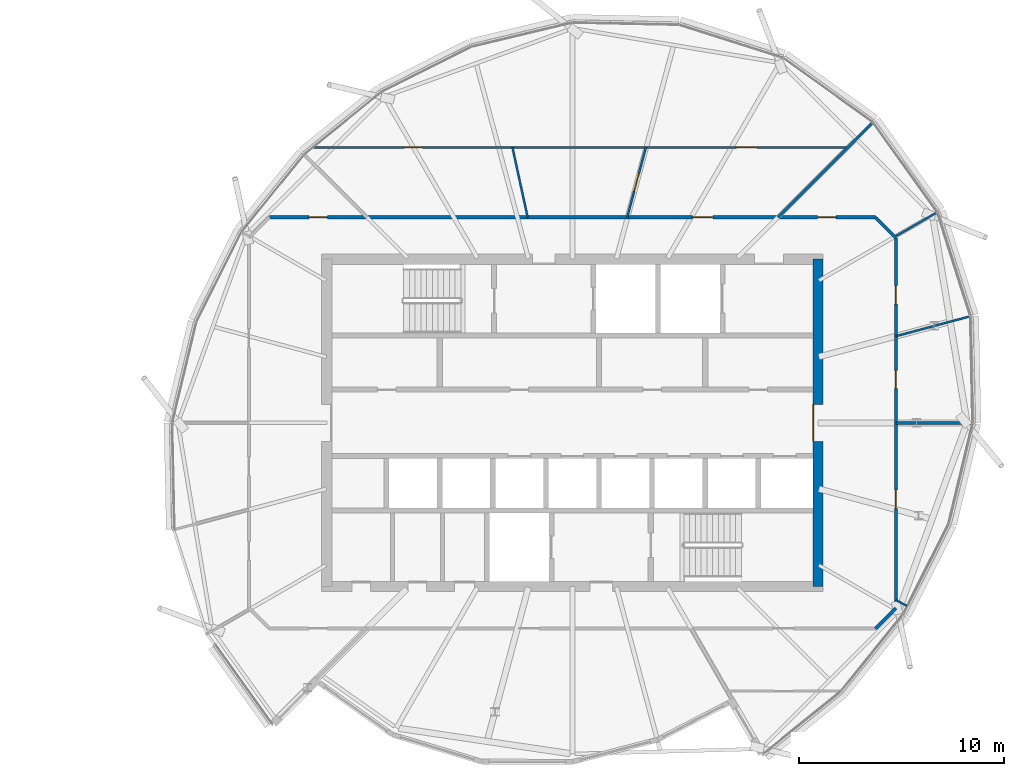
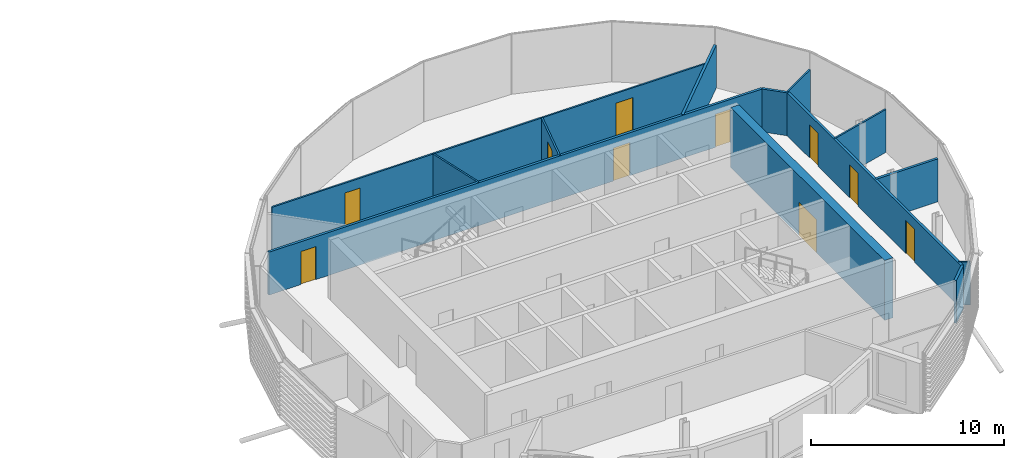
# One storey, part 23 of 35: 13 walls, 10 doors, 10 openings.
"""IFC4 building model written with IfcOpenShell, lengths in metres."""

from ifc_helpers import new_model, si_unit, direction, frame, frame_2d, origin, place, context, subcontext, project, spatial, rectangle, extrude, material, layer, layer_set, type_object, element, fill, save


model = new_model("IFC4")

# Units and contexts
model_context = context("Model", 3, precision=1e-05, world=origin(), true_north=direction((0.0, 1.0)))
body_context = subcontext(model_context, "Body", "Model", "MODEL_VIEW")
ifc_project = project(units=[si_unit("LENGTHUNIT", "METRE"), si_unit("AREAUNIT", "SQUARE_METRE"), si_unit("VOLUMEUNIT", "CUBIC_METRE"), si_unit("PLANEANGLEUNIT", "RADIAN"), si_unit("MASSUNIT", "GRAM", prefix="KILO")], contexts=[model_context])

# Site, building, storey
site_placement = place(None, origin())
site = spatial("IfcSite", under=ifc_project, at=site_placement, CompositionType="ELEMENT")
building_placement = place(site_placement, origin())
building = spatial("IfcBuilding", under=site, at=building_placement, Name="Rimbun Link Towers", CompositionType="ELEMENT")
storey_placement = place(building_placement, frame((0.0, 0.0, 229.5)))
storey = spatial("IfcBuildingStorey", under=building, at=storey_placement, Name="L56", CompositionType="ELEMENT", Elevation=229.5)

# Wall, opening, door
ifc_material_1 = material(Name="Concrete C60/75", Category="concrete")
ifc_layer_1 = layer(ifc_material_1, 0.5)
ifc_layer_set_1 = layer_set([ifc_layer_1], Name="Core shear wall 500")
wall_type_1 = type_object("IfcWallType", Name="Core shear wall 500", PredefinedType="SHEAR", material=ifc_layer_set_1)
wall_1_placement = place(storey_placement, frame((43.75, -8.0, 0.0), z_axis=(0.0, 0.0, 1.0), x_axis=(0.0, 1.0, 0.0)))
wall_1 = element("IfcWall", 1, at=wall_1_placement, inside=storey, type_object=wall_type_1, Name="L56 T2 core wall E", PredefinedType="SHEAR", context=body_context, shape_type="SweptSolid", body=[
    extrude(rectangle(XDim=16.0, YDim=0.5, at=frame_2d((8.0, 0.0))), origin(), (0.0, 0.0, 1.0), 3.800048828125),
])
opening_1_placement = place(wall_1_placement, frame((7.10009765625, 0.0, 0.0)))
opening_1 = element("IfcOpeningElement", 2, at=opening_1_placement, cuts=wall_1, Name="Opening C2DCL01E", PredefinedType="OPENING", context=body_context, shape_type="SweptSolid", body=[
    extrude(rectangle(XDim=1.800048828125, YDim=2.10009765625, at=frame_2d((0.89990234375, 1.050048828125))), frame((0.0, 0.260009765625, 0.0), z_axis=(0.0, -1.0, 0.0), x_axis=(1.0, 0.0, 0.0)), (0.0, 0.0, 1.0), 0.52001953125),
])
ifc_material_2 = material(Name="Steel fire door set", Category="steel")
door_type_1 = type_object("IfcDoorType", Name="Core lobby door double", OperationType="DOUBLE_DOOR_SINGLE_SWING", PredefinedType="DOOR", material=ifc_material_2)
door_1_placement = place(opening_1_placement, origin())
door_1 = element("IfcDoor", 3, at=door_1_placement, inside=storey, type_object=door_type_1, Name="L56 T2 lift lobby door", OperationType="DOUBLE_DOOR_SINGLE_SWING", OverallHeight=2.10009765625, OverallWidth=1.800048828125, PredefinedType="DOOR", context=body_context, shape_type="SweptSolid", body=[
    extrude(rectangle(XDim=1.800048828125, YDim=2.10009765625, at=frame_2d((0.89990234375, 1.050048828125))), frame((0.0, 0.25, 0.0), z_axis=(0.0, -1.0, 0.0), x_axis=(1.0, 0.0, 0.0)), (0.0, 0.0, 1.0), 0.050048828125),
])
fill(opening_1, door_1)

# Wall, openings, doors
ifc_material_3 = material(Name="Plasterboard on steel stud, mineral wool", Category="steel")
ifc_layer_2 = layer(ifc_material_3, 0.14990234375)
ifc_layer_set_2 = layer_set([ifc_layer_2], Name="Corridor wall EI 30 150 mm")
wall_type_2 = type_object("IfcWallType", Name="Corridor wall EI 30 150 mm", PredefinedType="PARTITIONING", material=ifc_layer_set_2)
wall_2_placement = place(storey_placement, frame((16.9462890625, 10.044921875, 0.0), z_axis=(0.0, 0.0, 1.0), x_axis=(1.0, 0.0, 0.0)))
wall_2 = element("IfcWall", 4, at=wall_2_placement, inside=storey, type_object=wall_type_2, Name="Corridor wall EI 30 150 mm", PredefinedType="PARTITIONING", context=body_context, shape_type="SweptSolid", body=[
    extrude(rectangle(XDim=29.607421875, YDim=0.14990234375, at=frame_2d((14.8037109375, 0.0))), origin(), (0.0, 0.0, 1.0), 2.721923828125),
])
opening_2_placement = place(wall_2_placement, frame((26.778076171875, 0.0, 0.0)))
opening_2 = element("IfcOpeningElement", 5, at=opening_2_placement, cuts=wall_2, Name="Opening D02", PredefinedType="OPENING", context=body_context, shape_type="SweptSolid", body=[
    extrude(rectangle(XDim=0.89990234375, YDim=2.10009765625, at=frame_2d((0.449951171875, 1.050048828125))), frame((0.0, 0.0849609375, 0.0), z_axis=(0.0, -1.0, 0.0), x_axis=(1.0, 0.0, 0.0)), (0.0, 0.0, 1.0), 0.169921875),
])
opening_3_placement = place(wall_2_placement, frame((20.66455078125, 0.0, 0.0)))
opening_3 = element("IfcOpeningElement", 6, at=opening_3_placement, cuts=wall_2, Name="Opening D01", PredefinedType="OPENING", context=body_context, shape_type="SweptSolid", body=[
    extrude(rectangle(XDim=1.0, YDim=2.10009765625, at=frame_2d((0.5, 1.050048828125))), frame((0.0, 0.0849609375, 0.0), z_axis=(0.0, -1.0, 0.0), x_axis=(1.0, 0.0, 0.0)), (0.0, 0.0, 1.0), 0.169921875),
])
opening_4_placement = place(wall_2_placement, frame((1.92919921875, 0.0, 0.0)))
opening_4 = element("IfcOpeningElement", 7, at=opening_4_placement, cuts=wall_2, Name="Opening D02", PredefinedType="OPENING", context=body_context, shape_type="SweptSolid", body=[
    extrude(rectangle(XDim=0.89990234375, YDim=2.10009765625, at=frame_2d((0.449951171875, 1.050048828125))), frame((0.0, 0.0849609375, 0.0), z_axis=(0.0, -1.0, 0.0), x_axis=(1.0, 0.0, 0.0)), (0.0, 0.0, 1.0), 0.169921875),
])
ifc_material_4 = material(Name="Fire-resisting timber door leaf", Category="wood")
door_type_2 = type_object("IfcDoorType", Name="Fire door FD30S 1000", OperationType="NOTDEFINED", PredefinedType="DOOR", material=ifc_material_4)
door_2_placement = place(opening_3_placement, origin())
door_2 = element("IfcDoor", 8, at=door_2_placement, inside=storey, type_object=door_type_2, Name="Fire door FD30S 1000 to Reception", OperationType="SINGLE_SWING_LEFT", OverallHeight=2.10009765625, OverallWidth=1.0, PredefinedType="DOOR", context=body_context, shape_type="SweptSolid", body=[
    extrude(rectangle(XDim=1.0, YDim=2.10009765625, at=frame_2d((0.5, 1.050048828125))), frame((0.0, 0.02490234375, 0.0), z_axis=(0.0, -1.0, 0.0), x_axis=(1.0, 0.0, 0.0)), (0.0, 0.0, 1.0), 0.050048828125),
])
fill(opening_3, door_2)
ifc_material_5 = material(Name="Fire-resisting timber door leaf", Category="wood")
door_type_3 = type_object("IfcDoorType", Name="Fire door FD30S 900", OperationType="NOTDEFINED", PredefinedType="DOOR", material=ifc_material_5)
door_3_placement = place(opening_2_placement, origin())
door_3 = element("IfcDoor", 9, at=door_3_placement, inside=storey, type_object=door_type_3, Name="Fire door FD30S 900 to Meeting room", OperationType="SINGLE_SWING_RIGHT", OverallHeight=2.10009765625, OverallWidth=0.89990234375, PredefinedType="DOOR", context=body_context, shape_type="SweptSolid", body=[
    extrude(rectangle(XDim=0.89990234375, YDim=2.10009765625, at=frame_2d((0.449951171875, 1.050048828125))), frame((0.0, 0.02490234375, 0.0), z_axis=(0.0, -1.0, 0.0), x_axis=(1.0, 0.0, 0.0)), (0.0, 0.0, 1.0), 0.050048828125),
])
fill(opening_2, door_3)
door_4_placement = place(opening_4_placement, origin())
door_4 = element("IfcDoor", 10, at=door_4_placement, inside=storey, type_object=door_type_3, Name="Fire door FD30S 900 to Meeting room", OperationType="SINGLE_SWING_RIGHT", OverallHeight=2.10009765625, OverallWidth=0.89990234375, PredefinedType="DOOR", context=body_context, shape_type="SweptSolid", body=[
    extrude(rectangle(XDim=0.89990234375, YDim=2.10009765625, at=frame_2d((0.449951171875, 1.050048828125))), frame((0.0, 0.02490234375, 0.0), z_axis=(0.0, -1.0, 0.0), x_axis=(1.0, 0.0, 0.0)), (0.0, 0.0, 1.0), 0.050048828125),
])
fill(opening_4, door_4)

# Wall
wall_3_placement = place(storey_placement, frame((47.554931640625, 9.043701171875, 0.0), z_axis=(0.0, 0.0, 1.0), x_axis=(-0.707106781187, 0.707106781187, 0.0)))
element("IfcWall", 11, at=wall_3_placement, inside=storey, type_object=wall_type_2, Name="Corridor wall EI 30 150 mm", PredefinedType="PARTITIONING", context=body_context, shape_type="SweptSolid", body=[
    extrude(rectangle(XDim=1.416015625, YDim=0.14990234375, at=frame_2d((0.7080078125, 0.0))), origin(), (0.0, 0.0, 1.0), 2.721923828125),
])

# Wall, openings, doors
wall_4_placement = place(storey_placement, frame((47.554931640625, 9.043701171875, 0.0), z_axis=(0.0, 0.0, 1.0), x_axis=(0.0, -1.0, 0.0)))
wall_4 = element("IfcWall", 12, at=wall_4_placement, inside=storey, type_object=wall_type_2, Name="Corridor wall EI 30 150 mm", PredefinedType="PARTITIONING", context=body_context, shape_type="SweptSolid", body=[
    extrude(rectangle(XDim=18.08740234375, YDim=0.14990234375, at=frame_2d((9.043701171875, 0.0))), origin(), (0.0, 0.0, 1.0), 2.721923828125),
])
opening_5_placement = place(wall_4_placement, frame((6.476318359375, 0.0, 0.0)))
opening_5 = element("IfcOpeningElement", 13, at=opening_5_placement, cuts=wall_4, Name="Opening D02", PredefinedType="OPENING", context=body_context, shape_type="SweptSolid", body=[
    extrude(rectangle(XDim=0.89990234375, YDim=2.10009765625, at=frame_2d((0.449951171875, 1.050048828125))), frame((0.0, 0.0849609375, 0.0), z_axis=(0.0, -1.0, 0.0), x_axis=(1.0, 0.0, 0.0)), (0.0, 0.0, 1.0), 0.169921875),
])
opening_6_placement = place(wall_4_placement, frame((2.336181640625, 0.0, 0.0)))
opening_6 = element("IfcOpeningElement", 14, at=opening_6_placement, cuts=wall_4, Name="Opening D02", PredefinedType="OPENING", context=body_context, shape_type="SweptSolid", body=[
    extrude(rectangle(XDim=0.89990234375, YDim=2.10009765625, at=frame_2d((0.449951171875, 1.050048828125))), frame((0.0, 0.0849609375, 0.0), z_axis=(0.0, -1.0, 0.0), x_axis=(1.0, 0.0, 0.0)), (0.0, 0.0, 1.0), 0.169921875),
])
opening_7_placement = place(wall_4_placement, frame((12.333740234375, 0.0, 0.0)))
opening_7 = element("IfcOpeningElement", 15, at=opening_7_placement, cuts=wall_4, Name="Opening D02", PredefinedType="OPENING", context=body_context, shape_type="SweptSolid", body=[
    extrude(rectangle(XDim=0.89990234375, YDim=2.10009765625, at=frame_2d((0.449951171875, 1.050048828125))), frame((0.0, 0.0849609375, 0.0), z_axis=(0.0, -1.0, 0.0), x_axis=(1.0, 0.0, 0.0)), (0.0, 0.0, 1.0), 0.169921875),
])
door_5_placement = place(opening_5_placement, origin())
door_5 = element("IfcDoor", 16, at=door_5_placement, inside=storey, type_object=door_type_3, Name="Fire door FD30S 900 to Pantry", OperationType="SINGLE_SWING_RIGHT", OverallHeight=2.10009765625, OverallWidth=0.89990234375, PredefinedType="DOOR", context=body_context, shape_type="SweptSolid", body=[
    extrude(rectangle(XDim=0.89990234375, YDim=2.10009765625, at=frame_2d((0.449951171875, 1.050048828125))), frame((0.0, 0.02490234375, 0.0), z_axis=(0.0, -1.0, 0.0), x_axis=(1.0, 0.0, 0.0)), (0.0, 0.0, 1.0), 0.050048828125),
])
fill(opening_5, door_5)
door_6_placement = place(opening_6_placement, origin())
door_6 = element("IfcDoor", 17, at=door_6_placement, inside=storey, type_object=door_type_3, Name="Fire door FD30S 900 to Boardroom", OperationType="SINGLE_SWING_LEFT", OverallHeight=2.10009765625, OverallWidth=0.89990234375, PredefinedType="DOOR", context=body_context, shape_type="SweptSolid", body=[
    extrude(rectangle(XDim=0.89990234375, YDim=2.10009765625, at=frame_2d((0.449951171875, 1.050048828125))), frame((0.0, 0.02490234375, 0.0), z_axis=(0.0, -1.0, 0.0), x_axis=(1.0, 0.0, 0.0)), (0.0, 0.0, 1.0), 0.050048828125),
])
fill(opening_6, door_6)
door_7_placement = place(opening_7_placement, origin())
door_7 = element("IfcDoor", 18, at=door_7_placement, inside=storey, type_object=door_type_3, Name="Fire door FD30S 900 to Meeting room", OperationType="SINGLE_SWING_RIGHT", OverallHeight=2.10009765625, OverallWidth=0.89990234375, PredefinedType="DOOR", context=body_context, shape_type="SweptSolid", body=[
    extrude(rectangle(XDim=0.89990234375, YDim=2.10009765625, at=frame_2d((0.449951171875, 1.050048828125))), frame((0.0, 0.02490234375, 0.0), z_axis=(0.0, -1.0, 0.0), x_axis=(1.0, 0.0, 0.0)), (0.0, 0.0, 1.0), 0.050048828125),
])
fill(opening_7, door_7)

# Walls
wall_5_placement = place(storey_placement, frame((46.5537109375, -10.044921875, 0.0), z_axis=(0.0, 0.0, 1.0), x_axis=(0.707106781187, 0.707106781187, 0.0)))
element("IfcWall", 19, at=wall_5_placement, inside=storey, type_object=wall_type_2, Name="Corridor wall EI 30 150 mm", PredefinedType="PARTITIONING", context=body_context, shape_type="SweptSolid", body=[
    extrude(rectangle(XDim=1.416015625, YDim=0.14990234375, at=frame_2d((0.7080078125, 0.0))), origin(), (0.0, 0.0, 1.0), 2.721923828125),
])
ifc_material_6 = material(Name="Plasterboard on steel stud", Category="steel")
ifc_layer_3 = layer(ifc_material_6, 0.10009765625)
ifc_layer_set_3 = layer_set([ifc_layer_3], Name="Plasterboard partition 100 mm")
wall_type_3 = type_object("IfcWallType", Name="Plasterboard partition 100 mm", PredefinedType="PARTITIONING", material=ifc_layer_set_3)
wall_6_placement = place(storey_placement, frame((48.089111328125, -8.945068359375, 0.0), z_axis=(0.0, 0.0, 1.0), x_axis=(-0.877128434288, 0.480255879468, 0.0)))
element("IfcWall", 20, at=wall_6_placement, inside=storey, type_object=wall_type_3, Name="Plasterboard partition 100 mm", PredefinedType="PARTITIONING", context=body_context, shape_type="SweptSolid", body=[
    extrude(rectangle(XDim=0.609130859375, YDim=0.10009765625, at=frame_2d((0.3046875, 0.0))), origin(), (0.0, 0.0, 1.0), 2.721923828125),
])
wall_7_placement = place(storey_placement, frame((51.177490234375, 5.20556640625, 0.0), z_axis=(0.0, 0.0, 1.0), x_axis=(-0.965923061481, -0.258829363287, 0.0)))
element("IfcWall", 21, at=wall_7_placement, inside=storey, type_object=wall_type_3, Name="Plasterboard partition 100 mm", PredefinedType="PARTITIONING", context=body_context, shape_type="SweptSolid", body=[
    extrude(rectangle(XDim=3.750244140625, YDim=0.10009765625, at=frame_2d((1.875, 0.0))), origin(), (0.0, 0.0, 1.0), 2.721923828125),
])
wall_8_placement = place(storey_placement, frame((49.5625, 10.2841796875, 0.0), z_axis=(0.0, 0.0, 1.0), x_axis=(-0.865997488215, -0.500048348068, 0.0)))
element("IfcWall", 22, at=wall_8_placement, inside=storey, type_object=wall_type_3, Name="Plasterboard partition 100 mm", PredefinedType="PARTITIONING", context=body_context, shape_type="SweptSolid", body=[
    extrude(rectangle(XDim=2.377685546875, YDim=0.10009765625, at=frame_2d((1.18896484375, 0.0))), origin(), (0.0, 0.0, 1.0), 2.721923828125),
])

# Wall, opening, door
wall_9_placement = place(storey_placement, frame((34.426513671875, 10.044921875, 0.0), z_axis=(0.0, 0.0, 1.0), x_axis=(0.257486629224, 0.966281861452, 0.0)))
wall_9 = element("IfcWall", 23, at=wall_9_placement, inside=storey, type_object=wall_type_3, Name="Plasterboard partition 100 mm", PredefinedType="PARTITIONING", context=body_context, shape_type="SweptSolid", body=[
    extrude(rectangle(XDim=3.53955078125, YDim=0.10009765625, at=frame_2d((1.769775390625, 0.0))), origin(), (0.0, 0.0, 1.0), 2.721923828125),
])
opening_8_placement = place(wall_9_placement, frame((1.319580078125, 0.0, 0.0)))
opening_8 = element("IfcOpeningElement", 24, at=opening_8_placement, cuts=wall_9, Name="Opening D04", PredefinedType="OPENING", context=body_context, shape_type="SweptSolid", body=[
    extrude(rectangle(XDim=0.89990234375, YDim=2.10009765625, at=frame_2d((0.449951171875, 1.050048828125))), frame((0.0, 0.06005859375, 0.0), z_axis=(0.0, -1.0, 0.0), x_axis=(1.0, 0.0, 0.0)), (0.0, 0.0, 1.0), 0.1201171875),
])
ifc_material_7 = material(Name="Timber door leaf", Category="wood")
door_type_4 = type_object("IfcDoorType", Name="Flush door 900", OperationType="NOTDEFINED", PredefinedType="DOOR", material=ifc_material_7)
door_8_placement = place(opening_8_placement, origin())
door_8 = element("IfcDoor", 25, at=door_8_placement, inside=storey, type_object=door_type_4, Name="Flush door 900 to Meeting room", OperationType="SINGLE_SWING_LEFT", OverallHeight=2.10009765625, OverallWidth=0.89990234375, PredefinedType="DOOR", context=body_context, shape_type="SweptSolid", body=[
    extrude(rectangle(XDim=0.89990234375, YDim=2.10009765625, at=frame_2d((0.449951171875, 1.050048828125))), frame((0.0, 0.02490234375, 0.0), z_axis=(0.0, -1.0, 0.0), x_axis=(1.0, 0.0, 0.0)), (0.0, 0.0, 1.0), 0.050048828125),
])
fill(opening_8, door_8)

# Wall, openings, doors
wall_10_placement = place(storey_placement, frame((19.1103515625, 13.465087890625, 0.0), z_axis=(0.0, 0.0, 1.0), x_axis=(1.0, 0.0, 0.0)))
wall_10 = element("IfcWall", 26, at=wall_10_placement, inside=storey, type_object=wall_type_3, Name="Plasterboard partition 100 mm", PredefinedType="PARTITIONING", context=body_context, shape_type="SweptSolid", body=[
    extrude(rectangle(XDim=26.104736328125, YDim=0.10009765625, at=frame_2d((13.05224609375, 0.0))), origin(), (0.0, 0.0, 1.0), 2.721923828125),
])
opening_9_placement = place(wall_10_placement, frame((20.650634765625, 0.0, 0.0)))
opening_9 = element("IfcOpeningElement", 27, at=opening_9_placement, cuts=wall_10, Name="Opening D03", PredefinedType="OPENING", context=body_context, shape_type="SweptSolid", body=[
    extrude(rectangle(XDim=1.0, YDim=2.10009765625, at=frame_2d((0.5, 1.050048828125))), frame((0.0, 0.06005859375, 0.0), z_axis=(0.0, -1.0, 0.0), x_axis=(1.0, 0.0, 0.0)), (0.0, 0.0, 1.0), 0.1201171875),
])
opening_10_placement = place(wall_10_placement, frame((4.403076171875, 0.0, 0.0)))
opening_10 = element("IfcOpeningElement", 28, at=opening_10_placement, cuts=wall_10, Name="Opening D04", PredefinedType="OPENING", context=body_context, shape_type="SweptSolid", body=[
    extrude(rectangle(XDim=0.89990234375, YDim=2.10009765625, at=frame_2d((0.449951171875, 1.050048828125))), frame((0.0, 0.06005859375, 0.0), z_axis=(0.0, -1.0, 0.0), x_axis=(1.0, 0.0, 0.0)), (0.0, 0.0, 1.0), 0.1201171875),
])
ifc_material_8 = material(Name="Timber door leaf", Category="wood")
door_type_5 = type_object("IfcDoorType", Name="Flush door 1000", OperationType="NOTDEFINED", PredefinedType="DOOR", material=ifc_material_8)
door_9_placement = place(opening_9_placement, origin())
door_9 = element("IfcDoor", 29, at=door_9_placement, inside=storey, type_object=door_type_5, Name="Flush door 1000 to Open office", OperationType="SINGLE_SWING_RIGHT", OverallHeight=2.10009765625, OverallWidth=1.0, PredefinedType="DOOR", context=body_context, shape_type="SweptSolid", body=[
    extrude(rectangle(XDim=1.0, YDim=2.10009765625, at=frame_2d((0.5, 1.050048828125))), frame((0.0, 0.02490234375, 0.0), z_axis=(0.0, -1.0, 0.0), x_axis=(1.0, 0.0, 0.0)), (0.0, 0.0, 1.0), 0.050048828125),
])
fill(opening_9, door_9)
door_10_placement = place(opening_10_placement, origin())
door_10 = element("IfcDoor", 30, at=door_10_placement, inside=storey, type_object=door_type_4, Name="Flush door 900 to Print room", OperationType="SINGLE_SWING_LEFT", OverallHeight=2.10009765625, OverallWidth=0.89990234375, PredefinedType="DOOR", context=body_context, shape_type="SweptSolid", body=[
    extrude(rectangle(XDim=0.89990234375, YDim=2.10009765625, at=frame_2d((0.449951171875, 1.050048828125))), frame((0.0, 0.02490234375, 0.0), z_axis=(0.0, -1.0, 0.0), x_axis=(1.0, 0.0, 0.0)), (0.0, 0.0, 1.0), 0.050048828125),
])
fill(opening_10, door_10)

# Walls
wall_11_placement = place(storey_placement, frame((28.816162109375, 13.465087890625, 0.0), z_axis=(0.0, 0.0, 1.0), x_axis=(0.212866861718, -0.97708121422, 0.0)))
element("IfcWall", 31, at=wall_11_placement, inside=storey, type_object=wall_type_3, Name="Plasterboard partition 100 mm", PredefinedType="PARTITIONING", context=body_context, shape_type="SweptSolid", body=[
    extrude(rectangle(XDim=3.50048828125, YDim=0.10009765625, at=frame_2d((1.750244140625, 0.0))), origin(), (0.0, 0.0, 1.0), 2.721923828125),
])
ifc_material_9 = material(Name="Plasterboard on steel stud, mineral wool", Category="steel")
ifc_layer_4 = layer(ifc_material_9, 0.14990234375)
ifc_layer_set_4 = layer_set([ifc_layer_4], Name="Tenancy separation wall EI 60 150 mm")
wall_type_4 = type_object("IfcWallType", Name="Tenancy separation wall EI 60 150 mm", PredefinedType="PARTITIONING", material=ifc_layer_set_4)
wall_12_placement = place(storey_placement, frame((41.794921875, 10.044921875, 0.0), z_axis=(0.0, 0.0, 1.0), x_axis=(0.707106781187, 0.707106781187, 0.0)))
element("IfcWall", 32, at=wall_12_placement, inside=storey, type_object=wall_type_4, Name="Tenancy separation wall EI 60 150 mm", PredefinedType="PARTITIONING", context=body_context, shape_type="SweptSolid", body=[
    extrude(rectangle(XDim=6.536865234375, YDim=0.14990234375, at=frame_2d((3.2685546875, 0.0))), origin(), (0.0, 0.0, 1.0), 2.721923828125),
])
wall_13_placement = place(storey_placement, frame((47.554931640625, 0.0, 0.0), z_axis=(0.0, 0.0, 1.0), x_axis=(1.0, 0.0, 0.0)))
element("IfcWall", 33, at=wall_13_placement, inside=storey, type_object=wall_type_4, Name="Tenancy separation wall EI 60 150 mm", PredefinedType="PARTITIONING", context=body_context, shape_type="SweptSolid", body=[
    extrude(rectangle(XDim=3.732421875, YDim=0.14990234375, at=frame_2d((1.8662109375, 0.0))), origin(), (0.0, 0.0, 1.0), 2.721923828125),
])

save(model, "model.ifc")
